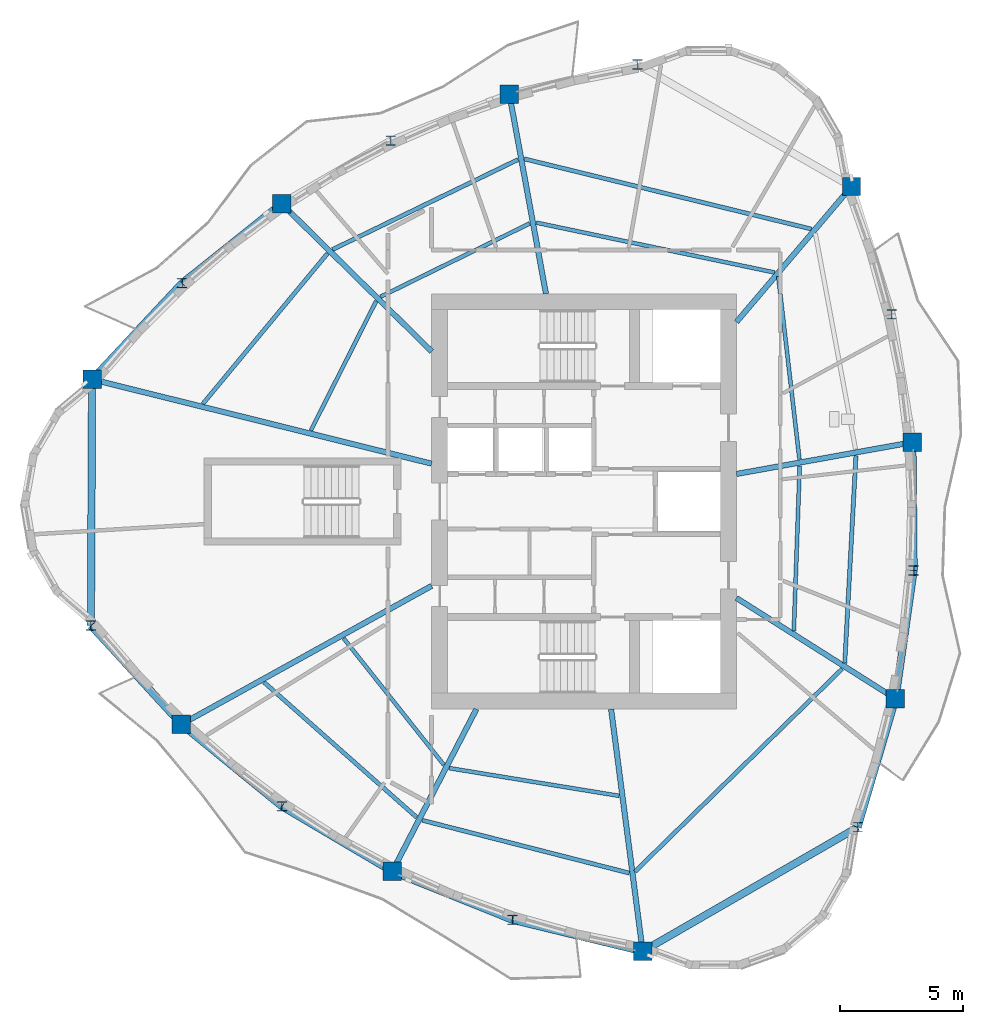
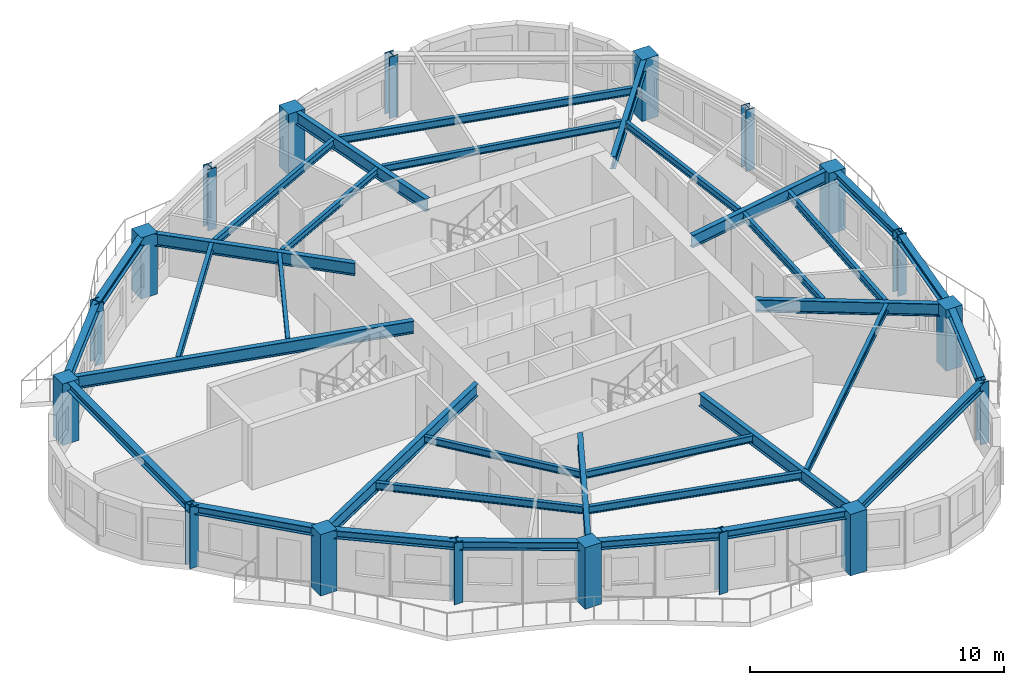
# One storey, part 1 of 12: 35 beams, 18 columns.
"""IFC4 building model written with IfcOpenShell, lengths in metres."""

from ifc_helpers import new_model, si_unit, direction, frame, origin, origin_2d, place, context, subcontext, project, spatial, rectangle, i_section, extrude, source, transform, mapped, material, material_profile, profile_set, type_object, element, save


model = new_model("IFC4")

# Units and contexts
model_context = context("Model", 3, precision=1e-05, world=origin(), true_north=direction((0.0, 1.0)))
body_context = subcontext(model_context, "Body", "Model", "MODEL_VIEW")
ifc_project = project(units=[si_unit("LENGTHUNIT", "METRE"), si_unit("AREAUNIT", "SQUARE_METRE"), si_unit("VOLUMEUNIT", "CUBIC_METRE"), si_unit("PLANEANGLEUNIT", "RADIAN"), si_unit("MASSUNIT", "GRAM", prefix="KILO")], contexts=[model_context])

# Site, building, storey
site_placement = place(None, origin())
site = spatial("IfcSite", under=ifc_project, at=site_placement, CompositionType="ELEMENT")
building_placement = place(site_placement, origin())
building = spatial("IfcBuilding", under=site, at=building_placement, Name="Qafzar Sky-Pleat Residences", CompositionType="ELEMENT")
storey_placement = place(building_placement, frame((0.0, 0.0, 184.199951171875)))
storey = spatial("IfcBuildingStorey", under=building, at=storey_placement, Name="L55", CompositionType="ELEMENT", Elevation=184.199951171875)

# Columns
ifc_material_1 = material(Name="Concrete C60/75", Category="concrete")
ifc_material_profile_1 = material_profile(ifc_material_1, rectangle(XDim=0.75, YDim=0.75, at=origin_2d()), Name="RC 750x750")
ifc_profile_set_1 = profile_set([ifc_material_profile_1], Name="Concrete C60/75")
column_type_1 = type_object("IfcColumnType", Name="COL-RC-750", PredefinedType="COLUMN", material=ifc_profile_set_1)
shared_shape_1 = source(origin(), body_context, "Body", "SweptSolid", [
    extrude(rectangle(XDim=0.75, YDim=0.75, at=origin_2d()), origin(), (0.0, 0.0, 1.0), 2.949951171875),
])
for number, where, z_axis, x_axis, name in (
    (1, (10.338134765625, 30.967041015625, 0.0), (0.0, 0.0, 1.0), (1.0, 0.0, 0.0), "L55 Perimeter Mega Column 1"),
    (2, (13.97265625, 16.934814453125, 0.0), (0.0, 0.0, 1.0), (1.0, 0.0, 0.0), "L55 Perimeter Mega Column 3"),
    (3, (22.547607421875, 10.951904296875, 0.0), (0.0, 0.0, 1.0), (1.0, 0.0, 0.0), "L55 Perimeter Mega Column 5"),
    (4, (32.734130859375, 7.698486328125, 0.0), (0.0, 0.0, 1.0), (1.0, 0.0, 0.0), "L55 Perimeter Mega Column 7"),
    (5, (43.0166015625, 17.977294921875, 0.0), (0.0, 0.0, 1.0), (1.0, 0.0, 0.0), "L55 Perimeter Mega Column 9"),
    (6, (43.70751953125, 28.410400390625, 0.0), (0.0, 0.0, 1.0), (1.0, 0.0, 0.0), "L55 Perimeter Mega Column 11"),
    (7, (41.22900390625, 38.8125, 0.0), (0.0, 0.0, 1.0), (1.0, 0.0, 0.0), "L55 Perimeter Mega Column 13"),
    (8, (27.312255859375, 42.56591796875, 0.0), (0.0, 0.0, 1.0), (1.0, 0.0, 0.0), "L55 Perimeter Mega Column 15"),
    (9, (18.046142578125, 38.11572265625, 0.0), (0.0, 0.0, 1.0), (1.0, 0.0, 0.0), "L55 Perimeter Mega Column 17"),
):
    element("IfcColumn", number, at=place(storey_placement, frame(where, z_axis=z_axis, x_axis=x_axis)), inside=storey, type_object=column_type_1, Name=name, PredefinedType="COLUMN", context=body_context, shape_type="MappedRepresentation", body=[
        mapped(shared_shape_1, transform((0.0, 0.0, 0.0), x_axis=(1.0, 0.0, 0.0), y_axis=(0.0, 1.0, 0.0), z_axis=(0.0, 0.0, 1.0), scale=1.0)),
    ])
ifc_material_2 = material(Name="Steel S355", Category="steel")
ifc_material_profile_2 = material_profile(ifc_material_2, i_section(OverallWidth=0.40087890625, OverallDepth=0.39892578125, WebThickness=0.02294921875, FlangeThickness=0.035888671875, FilletRadius=0.014892578125, at=origin_2d()), Name="HD 400x314")
ifc_profile_set_2 = profile_set([ifc_material_profile_2], Name="Steel S355")
column_type_2 = type_object("IfcColumnType", Name="COL-STL-HD314", PredefinedType="PILASTER", material=ifc_profile_set_2)
shared_shape_2 = source(origin(), body_context, "Body", "SweptSolid", [
    extrude(i_section(OverallWidth=0.40087890625, OverallDepth=0.39892578125, WebThickness=0.02294921875, FlangeThickness=0.035888671875, FilletRadius=0.014892578125, at=origin_2d()), origin(), (0.0, 0.0, 1.0), 2.949951171875),
])
for number, where, z_axis, x_axis, name in (
    (10, (10.289306640625, 20.94970703125, 0.0), (0.0, 0.0, 1.0), (1.0, 0.0, 0.0), "L55 Perimeter Mega Column 2"),
    (11, (18.058837890625, 13.60205078125, 0.0), (0.0, 0.0, 1.0), (1.0, 0.0, 0.0), "L55 Perimeter Mega Column 4"),
    (12, (27.439453125, 8.98388671875, 0.0), (0.0, 0.0, 1.0), (1.0, 0.0, 0.0), "L55 Perimeter Mega Column 6"),
    (13, (41.482666015625, 12.749267578125, 0.0), (0.0, 0.0, 1.0), (1.0, 0.0, 0.0), "L55 Perimeter Mega Column 8"),
    (14, (43.75830078125, 23.19775390625, 0.0), (0.0, 0.0, 1.0), (1.0, 0.0, 0.0), "L55 Perimeter Mega Column 10"),
    (15, (42.864501953125, 33.615478515625, 0.0), (0.0, 0.0, 1.0), (1.0, 0.0, 0.0), "L55 Perimeter Mega Column 12"),
    (16, (32.529296875, 43.779052734375, 0.0), (0.0, 0.0, 1.0), (1.0, 0.0, 0.0), "L55 Perimeter Mega Column 14"),
    (17, (22.484375, 40.677978515625, 0.0), (0.0, 0.0, 1.0), (1.0, 0.0, 0.0), "L55 Perimeter Mega Column 16"),
    (18, (13.997314453125, 34.878662109375, 0.0), (0.0, 0.0, 1.0), (1.0, 0.0, 0.0), "L55 Perimeter Mega Column 18"),
):
    element("IfcColumn", number, at=place(storey_placement, frame(where, z_axis=z_axis, x_axis=x_axis)), inside=storey, type_object=column_type_2, Name=name, PredefinedType="PILASTER", context=body_context, shape_type="MappedRepresentation", body=[
        mapped(shared_shape_2, transform((0.0, 0.0, 0.0), x_axis=(1.0, 0.0, 0.0), y_axis=(0.0, 1.0, 0.0), z_axis=(0.0, 0.0, 1.0), scale=1.0)),
    ])

# Beams
ifc_material_profile_3 = material_profile(ifc_material_2, i_section(OverallWidth=0.159912109375, OverallDepth=0.330078125, WebThickness=0.007568359375, FlangeThickness=0.011474609375, FilletRadius=0.01806640625, at=origin_2d()), Name="IPE 330")
ifc_profile_set_3 = profile_set([ifc_material_profile_3], Name="Steel S355")
beam_type_1 = type_object("IfcBeamType", Name="BM-JST-IPE330", PredefinedType="JOIST", material=ifc_profile_set_3)
shared_shape_3 = source(origin(), body_context, "Body", "SweptSolid", [
    extrude(i_section(OverallWidth=0.159912109375, OverallDepth=0.330078125, WebThickness=0.007568359375, FlangeThickness=0.011474609375, FilletRadius=0.01806640625, at=origin_2d()), origin(), (0.0, 0.0, 1.0), 9.91552734375),
])
beam_1_placement = place(storey_placement, frame((38.102294921875, 35.3134765625, 2.782958984375), z_axis=(-0.978807385502, 0.204783061032, 0.0), x_axis=(-0.204783061032, -0.978807385502, 0.0)))
element("IfcBeam", 19, at=beam_1_placement, inside=storey, type_object=beam_type_1, Name="L55 Inner Secondary Floor Joist 7", PredefinedType="JOIST", context=body_context, shape_type="MappedRepresentation", body=[
    mapped(shared_shape_3, transform((0.0, 0.0, 0.0), x_axis=(1.0, 0.0, 0.0), y_axis=(0.0, 1.0, 0.0), z_axis=(0.0, 0.0, 1.0), scale=1.0)),
])
ifc_material_profile_4 = material_profile(ifc_material_2, i_section(OverallWidth=0.300048828125, OverallDepth=0.39990234375, WebThickness=0.013427734375, FlangeThickness=0.02392578125, FilletRadius=0.027099609375, at=origin_2d()), Name="HEB 400")
ifc_profile_set_4 = profile_set([ifc_material_profile_4], Name="Steel S355")
beam_type_2 = type_object("IfcBeamType", Name="BM-SPAN-HEB400", PredefinedType="SPANDREL", material=ifc_profile_set_4)
shared_shape_4 = source(origin(), body_context, "Body", "SweptSolid", [
    extrude(i_section(OverallWidth=0.300048828125, OverallDepth=0.39990234375, WebThickness=0.013427734375, FlangeThickness=0.02392578125, FilletRadius=0.027099609375, at=origin_2d()), origin(), (0.0, 0.0, 1.0), 10.017333984375),
])
beam_2_placement = place(storey_placement, frame((10.338134765625, 30.967041015625, 2.748046875), z_axis=(-0.004874305381, -0.999988120503, 0.0), x_axis=(0.999988120503, -0.004874305381, 0.0)))
element("IfcBeam", 20, at=beam_2_placement, inside=storey, type_object=beam_type_2, Name="L55 Perimeter Spandrel Beam 1", PredefinedType="SPANDREL", context=body_context, shape_type="MappedRepresentation", body=[
    mapped(shared_shape_4, transform((0.0, 0.0, 0.0), x_axis=(1.0, 0.0, 0.0), y_axis=(0.0, 1.0, 0.0), z_axis=(0.0, 0.0, 1.0), scale=1.0)),
])
shared_shape_5 = source(origin(), body_context, "Body", "SweptSolid", [
    extrude(i_section(OverallWidth=0.300048828125, OverallDepth=0.39990234375, WebThickness=0.013427734375, FlangeThickness=0.02392578125, FilletRadius=0.027099609375, at=origin_2d()), origin(), (0.0, 0.0, 1.0), 5.448486328125),
])
for number, where, z_axis, x_axis, name in (
    (21, (10.289306640625, 20.94970703125, 2.748046875), (0.67602690272, -0.736876941422, 0.0), (0.736876941422, 0.67602690272, 0.0), "L55 Perimeter Spandrel Beam 2"),
    (22, (27.439453125, 8.98388671875, 2.748046875), (0.971772638207, -0.235919349848, 0.0), (0.235919349848, 0.971772638207, 0.0), "L55 Perimeter Spandrel Beam 6"),
    (23, (41.482666015625, 12.749267578125, 2.748046875), (0.281537931885, 0.959550099218, 0.0), (-0.959550099218, 0.281537931885, 0.0), "L55 Perimeter Spandrel Beam 8"),
):
    element("IfcBeam", number, at=place(storey_placement, frame(where, z_axis=z_axis, x_axis=x_axis)), inside=storey, type_object=beam_type_2, Name=name, PredefinedType="SPANDREL", context=body_context, shape_type="MappedRepresentation", body=[
        mapped(shared_shape_5, transform((0.0, 0.0, 0.0), x_axis=(1.0, 0.0, 0.0), y_axis=(0.0, 1.0, 0.0), z_axis=(0.0, 0.0, 1.0), scale=1.0)),
    ])
shared_shape_6 = source(origin(), body_context, "Body", "SweptSolid", [
    extrude(i_section(OverallWidth=0.300048828125, OverallDepth=0.39990234375, WebThickness=0.013427734375, FlangeThickness=0.02392578125, FilletRadius=0.027099609375, at=origin_2d()), origin(), (0.0, 0.0, 1.0), 5.27294921875),
])
for number, where, z_axis, x_axis, name in (
    (24, (13.97265625, 16.934814453125, 2.748046875), (0.774930068273, -0.632046983449, 0.0), (0.632046983449, 0.774930068273, 0.0), "L55 Perimeter Spandrel Beam 3"),
    (25, (22.547607421875, 10.951904296875, 2.748046875), (0.927737233532, -0.373234009058, 0.0), (0.373234009058, 0.927737233532, 0.0), "L55 Perimeter Spandrel Beam 5"),
    (26, (43.0166015625, 17.977294921875, 2.748046875), (0.140662901854, 0.990057547844, 0.0), (-0.990057547844, 0.140662901854, 0.0), "L55 Perimeter Spandrel Beam 9"),
):
    element("IfcBeam", number, at=place(storey_placement, frame(where, z_axis=z_axis, x_axis=x_axis)), inside=storey, type_object=beam_type_2, Name=name, PredefinedType="SPANDREL", context=body_context, shape_type="MappedRepresentation", body=[
        mapped(shared_shape_6, transform((0.0, 0.0, 0.0), x_axis=(1.0, 0.0, 0.0), y_axis=(0.0, 1.0, 0.0), z_axis=(0.0, 0.0, 1.0), scale=1.0)),
    ])
shared_shape_7 = source(origin(), body_context, "Body", "SweptSolid", [
    extrude(i_section(OverallWidth=0.300048828125, OverallDepth=0.39990234375, WebThickness=0.013427734375, FlangeThickness=0.02392578125, FilletRadius=0.027099609375, at=origin_2d()), origin(), (0.0, 0.0, 1.0), 5.212646484375),
])
beam_3_placement = place(storey_placement, frame((18.058837890625, 13.60205078125, 2.748046875), z_axis=(0.861120406877, -0.508401066934, 0.0), x_axis=(0.508401066934, 0.861120406877, 0.0)))
element("IfcBeam", 27, at=beam_3_placement, inside=storey, type_object=beam_type_2, Name="L55 Perimeter Spandrel Beam 4", PredefinedType="SPANDREL", context=body_context, shape_type="MappedRepresentation", body=[
    mapped(shared_shape_7, transform((0.0, 0.0, 0.0), x_axis=(1.0, 0.0, 0.0), y_axis=(0.0, 1.0, 0.0), z_axis=(0.0, 0.0, 1.0), scale=1.0)),
])
shared_shape_8 = source(origin(), body_context, "Body", "SweptSolid", [
    extrude(i_section(OverallWidth=0.300048828125, OverallDepth=0.39990234375, WebThickness=0.013427734375, FlangeThickness=0.02392578125, FilletRadius=0.027099609375, at=origin_2d()), origin(), (0.0, 0.0, 1.0), 10.101806640625),
])
beam_4_placement = place(storey_placement, frame((32.734130859375, 7.698486328125, 2.748046875), z_axis=(0.866033456987, 0.499986051185, 0.0), x_axis=(-0.499986051185, 0.866033456987, 0.0)))
element("IfcBeam", 28, at=beam_4_placement, inside=storey, type_object=beam_type_2, Name="L55 Perimeter Spandrel Beam 7", PredefinedType="SPANDREL", context=body_context, shape_type="MappedRepresentation", body=[
    mapped(shared_shape_8, transform((0.0, 0.0, 0.0), x_axis=(1.0, 0.0, 0.0), y_axis=(0.0, 1.0, 0.0), z_axis=(0.0, 0.0, 1.0), scale=1.0)),
])
shared_shape_9 = source(origin(), body_context, "Body", "SweptSolid", [
    extrude(i_section(OverallWidth=0.300048828125, OverallDepth=0.39990234375, WebThickness=0.013427734375, FlangeThickness=0.02392578125, FilletRadius=0.027099609375, at=origin_2d()), origin(), (0.0, 0.0, 1.0), 5.212890625),
])
beam_5_placement = place(storey_placement, frame((43.75830078125, 23.19775390625, 2.748046875), z_axis=(-0.009741470215, 0.999952550753, 0.0), x_axis=(-0.999952550753, -0.009741470215, 0.0)))
element("IfcBeam", 29, at=beam_5_placement, inside=storey, type_object=beam_type_2, Name="L55 Perimeter Spandrel Beam 10", PredefinedType="SPANDREL", context=body_context, shape_type="MappedRepresentation", body=[
    mapped(shared_shape_9, transform((0.0, 0.0, 0.0), x_axis=(1.0, 0.0, 0.0), y_axis=(0.0, 1.0, 0.0), z_axis=(0.0, 0.0, 1.0), scale=1.0)),
])
shared_shape_10 = source(origin(), body_context, "Body", "SweptSolid", [
    extrude(i_section(OverallWidth=0.300048828125, OverallDepth=0.39990234375, WebThickness=0.013427734375, FlangeThickness=0.02392578125, FilletRadius=0.027099609375, at=origin_2d()), origin(), (0.0, 0.0, 1.0), 5.183837890625),
])
beam_6_placement = place(storey_placement, frame((18.046142578125, 38.11572265625, 2.748046875), z_axis=(-0.78105716206, -0.624459533994, 0.0), x_axis=(0.624459533994, -0.78105716206, 0.0)))
element("IfcBeam", 30, at=beam_6_placement, inside=storey, type_object=beam_type_2, Name="L55 Perimeter Spandrel Beam 17", PredefinedType="SPANDREL", context=body_context, shape_type="MappedRepresentation", body=[
    mapped(shared_shape_10, transform((0.0, 0.0, 0.0), x_axis=(1.0, 0.0, 0.0), y_axis=(0.0, 1.0, 0.0), z_axis=(0.0, 0.0, 1.0), scale=1.0)),
])
shared_shape_11 = source(origin(), body_context, "Body", "SweptSolid", [
    extrude(i_section(OverallWidth=0.300048828125, OverallDepth=0.39990234375, WebThickness=0.013427734375, FlangeThickness=0.02392578125, FilletRadius=0.027099609375, at=origin_2d()), origin(), (0.0, 0.0, 1.0), 5.3564453125),
])
beam_7_placement = place(storey_placement, frame((13.997314453125, 34.878662109375, 2.748046875), z_axis=(-0.683149287603, -0.730278748731, 0.0), x_axis=(0.730278748731, -0.683149287603, 0.0)))
element("IfcBeam", 31, at=beam_7_placement, inside=storey, type_object=beam_type_2, Name="L55 Perimeter Spandrel Beam 18", PredefinedType="SPANDREL", context=body_context, shape_type="MappedRepresentation", body=[
    mapped(shared_shape_11, transform((0.0, 0.0, 0.0), x_axis=(1.0, 0.0, 0.0), y_axis=(0.0, 1.0, 0.0), z_axis=(0.0, 0.0, 1.0), scale=1.0)),
])
ifc_material_profile_5 = material_profile(ifc_material_2, i_section(OverallWidth=0.219970703125, OverallDepth=0.60009765625, WebThickness=0.011962890625, FlangeThickness=0.01904296875, FilletRadius=0.02392578125, at=origin_2d()), Name="IPE 600")
ifc_profile_set_5 = profile_set([ifc_material_profile_5], Name="Steel S355")
beam_type_3 = type_object("IfcBeamType", Name="BM-SEC-IPE600", PredefinedType="BEAM", material=ifc_profile_set_5)
shared_shape_12 = source(origin(), body_context, "Body", "SweptSolid", [
    extrude(i_section(OverallWidth=0.219970703125, OverallDepth=0.60009765625, WebThickness=0.011962890625, FlangeThickness=0.01904296875, FilletRadius=0.02392578125, at=origin_2d()), origin(), (0.0, 0.0, 1.0), 14.23095703125),
])
beam_8_placement = place(storey_placement, frame((10.338134765625, 30.967041015625, 2.64794921875), z_axis=(0.970549832167, -0.240900442672, 0.0), x_axis=(0.240900442672, 0.970549832167, 0.0)))
element("IfcBeam", 32, at=beam_8_placement, inside=storey, type_object=beam_type_3, Name="L55 Radial Floor Girder 1", PredefinedType="BEAM", context=body_context, shape_type="MappedRepresentation", body=[
    mapped(shared_shape_12, transform((0.0, 0.0, 0.0), x_axis=(1.0, 0.0, 0.0), y_axis=(0.0, 1.0, 0.0), z_axis=(0.0, 0.0, 1.0), scale=1.0)),
])
shared_shape_13 = source(origin(), body_context, "Body", "SweptSolid", [
    extrude(i_section(OverallWidth=0.219970703125, OverallDepth=0.60009765625, WebThickness=0.011962890625, FlangeThickness=0.01904296875, FilletRadius=0.02392578125, at=origin_2d()), origin(), (0.0, 0.0, 1.0), 11.63232421875),
])
beam_9_placement = place(storey_placement, frame((13.97265625, 16.934814453125, 2.64794921875), z_axis=(0.874912581808, 0.484280883573, 0.0), x_axis=(-0.484280883573, 0.874912581808, 0.0)))
element("IfcBeam", 33, at=beam_9_placement, inside=storey, type_object=beam_type_3, Name="L55 Radial Floor Girder 3", PredefinedType="BEAM", context=body_context, shape_type="MappedRepresentation", body=[
    mapped(shared_shape_13, transform((0.0, 0.0, 0.0), x_axis=(1.0, 0.0, 0.0), y_axis=(0.0, 1.0, 0.0), z_axis=(0.0, 0.0, 1.0), scale=1.0)),
])
shared_shape_14 = source(origin(), body_context, "Body", "SweptSolid", [
    extrude(i_section(OverallWidth=0.219970703125, OverallDepth=0.60009765625, WebThickness=0.011962890625, FlangeThickness=0.01904296875, FilletRadius=0.02392578125, at=origin_2d()), origin(), (0.0, 0.0, 1.0), 7.432373046875),
])
beam_10_placement = place(storey_placement, frame((22.547607421875, 10.951904296875, 2.64794921875), z_axis=(0.460304699772, 0.887760994507, 0.0), x_axis=(-0.887760994507, 0.460304699772, 0.0)))
element("IfcBeam", 34, at=beam_10_placement, inside=storey, type_object=beam_type_3, Name="L55 Radial Floor Girder 5", PredefinedType="BEAM", context=body_context, shape_type="MappedRepresentation", body=[
    mapped(shared_shape_14, transform((0.0, 0.0, 0.0), x_axis=(1.0, 0.0, 0.0), y_axis=(0.0, 1.0, 0.0), z_axis=(0.0, 0.0, 1.0), scale=1.0)),
])
shared_shape_15 = source(origin(), body_context, "Body", "SweptSolid", [
    extrude(i_section(OverallWidth=0.219970703125, OverallDepth=0.60009765625, WebThickness=0.011962890625, FlangeThickness=0.01904296875, FilletRadius=0.02392578125, at=origin_2d()), origin(), (0.0, 0.0, 1.0), 9.934814453125),
])
beam_11_placement = place(storey_placement, frame((32.734130859375, 7.698486328125, 2.64794921875), z_axis=(-0.129186849577, 0.991620269002, 0.0), x_axis=(-0.991620269002, -0.129186849577, 0.0)))
element("IfcBeam", 35, at=beam_11_placement, inside=storey, type_object=beam_type_3, Name="L55 Radial Floor Girder 7", PredefinedType="BEAM", context=body_context, shape_type="MappedRepresentation", body=[
    mapped(shared_shape_15, transform((0.0, 0.0, 0.0), x_axis=(1.0, 0.0, 0.0), y_axis=(0.0, 1.0, 0.0), z_axis=(0.0, 0.0, 1.0), scale=1.0)),
])
shared_shape_16 = source(origin(), body_context, "Body", "SweptSolid", [
    extrude(i_section(OverallWidth=0.219970703125, OverallDepth=0.60009765625, WebThickness=0.011962890625, FlangeThickness=0.01904296875, FilletRadius=0.02392578125, at=origin_2d()), origin(), (0.0, 0.0, 1.0), 7.654541015625),
])
beam_12_placement = place(storey_placement, frame((43.0166015625, 17.977294921875, 2.64794921875), z_axis=(-0.844806099733, 0.535072568774, 0.0), x_axis=(-0.535072568774, -0.844806099733, 0.0)))
element("IfcBeam", 36, at=beam_12_placement, inside=storey, type_object=beam_type_3, Name="L55 Radial Floor Girder 9", PredefinedType="BEAM", context=body_context, shape_type="MappedRepresentation", body=[
    mapped(shared_shape_16, transform((0.0, 0.0, 0.0), x_axis=(1.0, 0.0, 0.0), y_axis=(0.0, 1.0, 0.0), z_axis=(0.0, 0.0, 1.0), scale=1.0)),
])
shared_shape_17 = source(origin(), body_context, "Body", "SweptSolid", [
    extrude(i_section(OverallWidth=0.219970703125, OverallDepth=0.60009765625, WebThickness=0.011962890625, FlangeThickness=0.01904296875, FilletRadius=0.02392578125, at=origin_2d()), origin(), (0.0, 0.0, 1.0), 7.27294921875),
])
beam_13_placement = place(storey_placement, frame((43.70751953125, 28.410400390625, 2.64794921875), z_axis=(-0.984107501628, -0.177573717761, 0.0), x_axis=(0.177573717761, -0.984107501628, 0.0)))
element("IfcBeam", 37, at=beam_13_placement, inside=storey, type_object=beam_type_3, Name="L55 Radial Floor Girder 11", PredefinedType="BEAM", context=body_context, shape_type="MappedRepresentation", body=[
    mapped(shared_shape_17, transform((0.0, 0.0, 0.0), x_axis=(1.0, 0.0, 0.0), y_axis=(0.0, 1.0, 0.0), z_axis=(0.0, 0.0, 1.0), scale=1.0)),
])
shared_shape_18 = source(origin(), body_context, "Body", "SweptSolid", [
    extrude(i_section(OverallWidth=0.219970703125, OverallDepth=0.60009765625, WebThickness=0.011962890625, FlangeThickness=0.01904296875, FilletRadius=0.02392578125, at=origin_2d()), origin(), (0.0, 0.0, 1.0), 7.22900390625),
])
beam_14_placement = place(storey_placement, frame((41.22900390625, 38.8125, 2.64794921875), z_axis=(-0.64724933582, -0.762278359447, 0.0), x_axis=(0.762278359447, -0.64724933582, 0.0)))
element("IfcBeam", 38, at=beam_14_placement, inside=storey, type_object=beam_type_3, Name="L55 Radial Floor Girder 13", PredefinedType="BEAM", context=body_context, shape_type="MappedRepresentation", body=[
    mapped(shared_shape_18, transform((0.0, 0.0, 0.0), x_axis=(1.0, 0.0, 0.0), y_axis=(0.0, 1.0, 0.0), z_axis=(0.0, 0.0, 1.0), scale=1.0)),
])
shared_shape_19 = source(origin(), body_context, "Body", "SweptSolid", [
    extrude(i_section(OverallWidth=0.219970703125, OverallDepth=0.60009765625, WebThickness=0.011962890625, FlangeThickness=0.01904296875, FilletRadius=0.02392578125, at=origin_2d()), origin(), (0.0, 0.0, 1.0), 8.251220703125),
])
beam_15_placement = place(storey_placement, frame((27.312255859375, 42.56591796875, 2.64794921875), z_axis=(0.180369376393, -0.983598946756, 0.0), x_axis=(0.983598946756, 0.180369376393, 0.0)))
element("IfcBeam", 39, at=beam_15_placement, inside=storey, type_object=beam_type_3, Name="L55 Radial Floor Girder 15", PredefinedType="BEAM", context=body_context, shape_type="MappedRepresentation", body=[
    mapped(shared_shape_19, transform((0.0, 0.0, 0.0), x_axis=(1.0, 0.0, 0.0), y_axis=(0.0, 1.0, 0.0), z_axis=(0.0, 0.0, 1.0), scale=1.0)),
])
shared_shape_20 = source(origin(), body_context, "Body", "SweptSolid", [
    extrude(i_section(OverallWidth=0.219970703125, OverallDepth=0.60009765625, WebThickness=0.011962890625, FlangeThickness=0.01904296875, FilletRadius=0.02392578125, at=origin_2d()), origin(), (0.0, 0.0, 1.0), 8.56640625),
])
beam_16_placement = place(storey_placement, frame((18.046142578125, 38.11572265625, 2.64794921875), z_axis=(0.712529334431, -0.701642321682, 0.0), x_axis=(0.701642321682, 0.712529334431, 0.0)))
element("IfcBeam", 40, at=beam_16_placement, inside=storey, type_object=beam_type_3, Name="L55 Radial Floor Girder 17", PredefinedType="BEAM", context=body_context, shape_type="MappedRepresentation", body=[
    mapped(shared_shape_20, transform((0.0, 0.0, 0.0), x_axis=(1.0, 0.0, 0.0), y_axis=(0.0, 1.0, 0.0), z_axis=(0.0, 0.0, 1.0), scale=1.0)),
])
ifc_material_profile_6 = material_profile(ifc_material_2, i_section(OverallWidth=0.169921875, OverallDepth=0.360107421875, WebThickness=0.008056640625, FlangeThickness=0.0126953125, FilletRadius=0.01806640625, at=origin_2d()), Name="IPE 360")
ifc_profile_set_6 = profile_set([ifc_material_profile_6], Name="Steel S355")
beam_type_4 = type_object("IfcBeamType", Name="BM-JST-IPE360", PredefinedType="JOIST", material=ifc_profile_set_6)
shared_shape_21 = source(origin(), body_context, "Body", "SweptSolid", [
    extrude(i_section(OverallWidth=0.169921875, OverallDepth=0.360107421875, WebThickness=0.008056640625, FlangeThickness=0.0126953125, FilletRadius=0.01806640625, at=origin_2d()), origin(), (0.0, 0.0, 1.0), 8.29296875),
])
beam_17_placement = place(storey_placement, frame((17.33056640625, 18.64794921875, 2.76806640625), z_axis=(0.748919574139, -0.662660902327, 0.0), x_axis=(0.662660902327, 0.748919574139, 0.0)))
element("IfcBeam", 41, at=beam_17_placement, inside=storey, type_object=beam_type_4, Name="L55 Outer Secondary Floor Joist 2", PredefinedType="JOIST", context=body_context, shape_type="MappedRepresentation", body=[
    mapped(shared_shape_21, transform((0.0, 0.0, 0.0), x_axis=(1.0, 0.0, 0.0), y_axis=(0.0, 1.0, 0.0), z_axis=(0.0, 0.0, 1.0), scale=1.0)),
])
shared_shape_22 = source(origin(), body_context, "Body", "SweptSolid", [
    extrude(i_section(OverallWidth=0.169921875, OverallDepth=0.360107421875, WebThickness=0.008056640625, FlangeThickness=0.0126953125, FilletRadius=0.01806640625, at=origin_2d()), origin(), (0.0, 0.0, 1.0), 8.6884765625),
])
beam_18_placement = place(storey_placement, frame((23.773193359375, 13.030029296875, 2.76806640625), z_axis=(0.969024952428, -0.246962834393, 0.0), x_axis=(0.246962834393, 0.969024952428, 0.0)))
element("IfcBeam", 42, at=beam_18_placement, inside=storey, type_object=beam_type_4, Name="L55 Outer Secondary Floor Joist 3", PredefinedType="JOIST", context=body_context, shape_type="MappedRepresentation", body=[
    mapped(shared_shape_22, transform((0.0, 0.0, 0.0), x_axis=(1.0, 0.0, 0.0), y_axis=(0.0, 1.0, 0.0), z_axis=(0.0, 0.0, 1.0), scale=1.0)),
])
shared_shape_23 = source(origin(), body_context, "Body", "SweptSolid", [
    extrude(i_section(OverallWidth=0.169921875, OverallDepth=0.360107421875, WebThickness=0.008056640625, FlangeThickness=0.0126953125, FilletRadius=0.01806640625, at=origin_2d()), origin(), (0.0, 0.0, 1.0), 11.79443359375),
])
beam_19_placement = place(storey_placement, frame((32.419921875, 10.9453125, 2.76806640625), z_axis=(0.714795784642, 0.699333244067, 0.0), x_axis=(-0.699333244067, 0.714795784642, 0.0)))
element("IfcBeam", 43, at=beam_19_placement, inside=storey, type_object=beam_type_4, Name="L55 Outer Secondary Floor Joist 4", PredefinedType="JOIST", context=body_context, shape_type="MappedRepresentation", body=[
    mapped(shared_shape_23, transform((0.0, 0.0, 0.0), x_axis=(1.0, 0.0, 0.0), y_axis=(0.0, 1.0, 0.0), z_axis=(0.0, 0.0, 1.0), scale=1.0)),
])
shared_shape_24 = source(origin(), body_context, "Body", "SweptSolid", [
    extrude(i_section(OverallWidth=0.169921875, OverallDepth=0.360107421875, WebThickness=0.008056640625, FlangeThickness=0.0126953125, FilletRadius=0.01806640625, at=origin_2d()), origin(), (0.0, 0.0, 1.0), 8.45166015625),
])
beam_20_placement = place(storey_placement, frame((40.95458984375, 19.4228515625, 2.76806640625), z_axis=(0.053873281943, 0.998547780275, 0.0), x_axis=(-0.998547780275, 0.053873281943, 0.0)))
element("IfcBeam", 44, at=beam_20_placement, inside=storey, type_object=beam_type_4, Name="L55 Outer Secondary Floor Joist 5", PredefinedType="JOIST", context=body_context, shape_type="MappedRepresentation", body=[
    mapped(shared_shape_24, transform((0.0, 0.0, 0.0), x_axis=(1.0, 0.0, 0.0), y_axis=(0.0, 1.0, 0.0), z_axis=(0.0, 0.0, 1.0), scale=1.0)),
])
shared_shape_25 = source(origin(), body_context, "Body", "SweptSolid", [
    extrude(i_section(OverallWidth=0.169921875, OverallDepth=0.360107421875, WebThickness=0.008056640625, FlangeThickness=0.0126953125, FilletRadius=0.01806640625, at=origin_2d()), origin(), (0.0, 0.0, 1.0), 12.02490234375),
])
beam_21_placement = place(storey_placement, frame((39.6005859375, 37.081298828125, 2.76806640625), z_axis=(-0.971396404704, 0.23746373392, 0.0), x_axis=(-0.23746373392, -0.971396404704, 0.0)))
element("IfcBeam", 45, at=beam_21_placement, inside=storey, type_object=beam_type_4, Name="L55 Outer Secondary Floor Joist 7", PredefinedType="JOIST", context=body_context, shape_type="MappedRepresentation", body=[
    mapped(shared_shape_25, transform((0.0, 0.0, 0.0), x_axis=(1.0, 0.0, 0.0), y_axis=(0.0, 1.0, 0.0), z_axis=(0.0, 0.0, 1.0), scale=1.0)),
])
shared_shape_26 = source(origin(), body_context, "Body", "SweptSolid", [
    extrude(i_section(OverallWidth=0.169921875, OverallDepth=0.360107421875, WebThickness=0.008056640625, FlangeThickness=0.0126953125, FilletRadius=0.01806640625, at=origin_2d()), origin(), (0.0, 0.0, 1.0), 8.38623046875),
])
beam_22_placement = place(storey_placement, frame((27.6669921875, 39.909912109375, 2.76806640625), z_axis=(-0.899816185053, -0.436269220913, 0.0), x_axis=(0.436269220913, -0.899816185053, 0.0)))
element("IfcBeam", 46, at=beam_22_placement, inside=storey, type_object=beam_type_4, Name="L55 Outer Secondary Floor Joist 8", PredefinedType="JOIST", context=body_context, shape_type="MappedRepresentation", body=[
    mapped(shared_shape_26, transform((0.0, 0.0, 0.0), x_axis=(1.0, 0.0, 0.0), y_axis=(0.0, 1.0, 0.0), z_axis=(0.0, 0.0, 1.0), scale=1.0)),
])
shared_shape_27 = source(origin(), body_context, "Body", "SweptSolid", [
    extrude(i_section(OverallWidth=0.169921875, OverallDepth=0.360107421875, WebThickness=0.008056640625, FlangeThickness=0.0126953125, FilletRadius=0.01806640625, at=origin_2d()), origin(), (0.0, 0.0, 1.0), 7.942626953125),
])
beam_23_placement = place(storey_placement, frame((19.913330078125, 36.08837890625, 2.76806640625), z_axis=(-0.638244355263, -0.769833841147, 0.0), x_axis=(0.769833841147, -0.638244355263, 0.0)))
element("IfcBeam", 47, at=beam_23_placement, inside=storey, type_object=beam_type_4, Name="L55 Outer Secondary Floor Joist 9", PredefinedType="JOIST", context=body_context, shape_type="MappedRepresentation", body=[
    mapped(shared_shape_27, transform((0.0, 0.0, 0.0), x_axis=(1.0, 0.0, 0.0), y_axis=(0.0, 1.0, 0.0), z_axis=(0.0, 0.0, 1.0), scale=1.0)),
])
shared_shape_28 = source(origin(), body_context, "Body", "SweptSolid", [
    extrude(i_section(OverallWidth=0.159912109375, OverallDepth=0.330078125, WebThickness=0.007568359375, FlangeThickness=0.011474609375, FilletRadius=0.01806640625, at=origin_2d()), origin(), (0.0, 0.0, 1.0), 6.5751953125),
])
beam_24_placement = place(storey_placement, frame((20.570068359375, 20.434326171875, 2.782958984375), z_axis=(0.620997720675, -0.783812369714, 0.0), x_axis=(0.783812369714, 0.620997720675, 0.0)))
element("IfcBeam", 48, at=beam_24_placement, inside=storey, type_object=beam_type_1, Name="L55 Inner Secondary Floor Joist 2", PredefinedType="JOIST", context=body_context, shape_type="MappedRepresentation", body=[
    mapped(shared_shape_28, transform((0.0, 0.0, 0.0), x_axis=(1.0, 0.0, 0.0), y_axis=(0.0, 1.0, 0.0), z_axis=(0.0, 0.0, 1.0), scale=1.0)),
])
shared_shape_29 = source(origin(), body_context, "Body", "SweptSolid", [
    extrude(i_section(OverallWidth=0.159912109375, OverallDepth=0.330078125, WebThickness=0.007568359375, FlangeThickness=0.011474609375, FilletRadius=0.01806640625, at=origin_2d()), origin(), (0.0, 0.0, 1.0), 7.00048828125),
])
beam_25_placement = place(storey_placement, frame((24.870361328125, 15.15283203125, 2.782958984375), z_axis=(0.98694068918, -0.161084065135, 0.0), x_axis=(0.161084065135, 0.98694068918, 0.0)))
element("IfcBeam", 49, at=beam_25_placement, inside=storey, type_object=beam_type_1, Name="L55 Inner Secondary Floor Joist 3", PredefinedType="JOIST", context=body_context, shape_type="MappedRepresentation", body=[
    mapped(shared_shape_29, transform((0.0, 0.0, 0.0), x_axis=(1.0, 0.0, 0.0), y_axis=(0.0, 1.0, 0.0), z_axis=(0.0, 0.0, 1.0), scale=1.0)),
])
shared_shape_30 = source(origin(), body_context, "Body", "SweptSolid", [
    extrude(i_section(OverallWidth=0.159912109375, OverallDepth=0.330078125, WebThickness=0.007568359375, FlangeThickness=0.011474609375, FilletRadius=0.01806640625, at=origin_2d()), origin(), (0.0, 0.0, 1.0), 6.719482421875),
])
beam_26_placement = place(storey_placement, frame((38.8828125, 20.733642578125, 2.782958984375), z_axis=(0.03556971157, 0.99936719759, 0.0), x_axis=(-0.99936719759, 0.03556971157, 0.0)))
element("IfcBeam", 50, at=beam_26_placement, inside=storey, type_object=beam_type_1, Name="L55 Inner Secondary Floor Joist 5", PredefinedType="JOIST", context=body_context, shape_type="MappedRepresentation", body=[
    mapped(shared_shape_30, transform((0.0, 0.0, 0.0), x_axis=(1.0, 0.0, 0.0), y_axis=(0.0, 1.0, 0.0), z_axis=(0.0, 0.0, 1.0), scale=1.0)),
])
shared_shape_31 = source(origin(), body_context, "Body", "SweptSolid", [
    extrude(i_section(OverallWidth=0.159912109375, OverallDepth=0.330078125, WebThickness=0.007568359375, FlangeThickness=0.011474609375, FilletRadius=0.01806640625, at=origin_2d()), origin(), (0.0, 0.0, 1.0), 7.4833984375),
])
beam_27_placement = place(storey_placement, frame((39.111083984375, 27.718017578125, 2.782958984375), z_axis=(-0.115067411839, 0.993357685193, 0.0), x_axis=(-0.993357685193, -0.115067411839, 0.0)))
element("IfcBeam", 51, at=beam_27_placement, inside=storey, type_object=beam_type_1, Name="L55 Inner Secondary Floor Joist 6", PredefinedType="JOIST", context=body_context, shape_type="MappedRepresentation", body=[
    mapped(shared_shape_31, transform((0.0, 0.0, 0.0), x_axis=(1.0, 0.0, 0.0), y_axis=(0.0, 1.0, 0.0), z_axis=(0.0, 0.0, 1.0), scale=1.0)),
])
shared_shape_32 = source(origin(), body_context, "Body", "SweptSolid", [
    extrude(i_section(OverallWidth=0.159912109375, OverallDepth=0.330078125, WebThickness=0.007568359375, FlangeThickness=0.011474609375, FilletRadius=0.01806640625, at=origin_2d()), origin(), (0.0, 0.0, 1.0), 6.763427734375),
])
beam_28_placement = place(storey_placement, frame((28.1435546875, 37.312255859375, 2.782958984375), z_axis=(-0.897438764367, -0.441139053147, 0.0), x_axis=(0.441139053147, -0.897438764367, 0.0)))
element("IfcBeam", 52, at=beam_28_placement, inside=storey, type_object=beam_type_1, Name="L55 Inner Secondary Floor Joist 8", PredefinedType="JOIST", context=body_context, shape_type="MappedRepresentation", body=[
    mapped(shared_shape_32, transform((0.0, 0.0, 0.0), x_axis=(1.0, 0.0, 0.0), y_axis=(0.0, 1.0, 0.0), z_axis=(0.0, 0.0, 1.0), scale=1.0)),
])
shared_shape_33 = source(origin(), body_context, "Body", "SweptSolid", [
    extrude(i_section(OverallWidth=0.159912109375, OverallDepth=0.330078125, WebThickness=0.007568359375, FlangeThickness=0.011474609375, FilletRadius=0.01806640625, at=origin_2d()), origin(), (0.0, 0.0, 1.0), 5.88671875),
])
beam_29_placement = place(storey_placement, frame((21.891845703125, 34.1484375, 2.782958984375), z_axis=(-0.450727036849, -0.892661827488, 0.0), x_axis=(0.892661827488, -0.450727036849, 0.0)))
element("IfcBeam", 53, at=beam_29_placement, inside=storey, type_object=beam_type_1, Name="L55 Inner Secondary Floor Joist 9", PredefinedType="JOIST", context=body_context, shape_type="MappedRepresentation", body=[
    mapped(shared_shape_33, transform((0.0, 0.0, 0.0), x_axis=(1.0, 0.0, 0.0), y_axis=(0.0, 1.0, 0.0), z_axis=(0.0, 0.0, 1.0), scale=1.0)),
])

save(model, "model.ifc")
